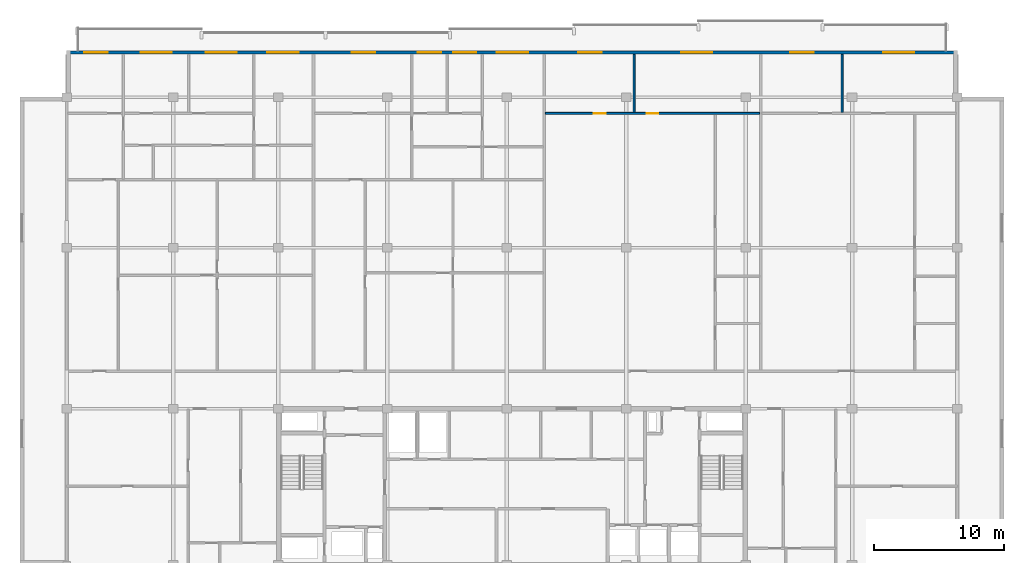
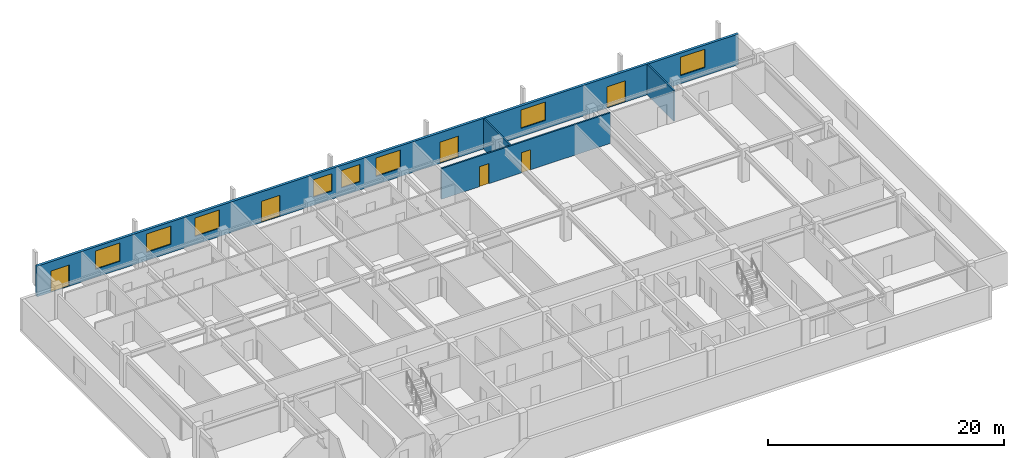
# One storey, part 8 of 11: 8 windows, 6 doors, 4 walls, 14 openings.
"""IFC4 building model written with IfcOpenShell, lengths in metres."""

from ifc_helpers import new_model, si_unit, direction, frame, frame_2d, origin, place, context, subcontext, project, spatial, rectangle, extrude, material, layer, layer_set, type_object, element, fill, save


model = new_model("IFC4")

# Units and contexts
model_context = context("Model", 3, precision=1e-05, world=origin(), true_north=direction((0.0, 1.0)))
body_context = subcontext(model_context, "Body", "Model", "MODEL_VIEW")
ifc_project = project(units=[si_unit("LENGTHUNIT", "METRE"), si_unit("AREAUNIT", "SQUARE_METRE"), si_unit("VOLUMEUNIT", "CUBIC_METRE"), si_unit("PLANEANGLEUNIT", "RADIAN"), si_unit("MASSUNIT", "GRAM", prefix="KILO")], contexts=[model_context])

# Site, building, storey
site_placement = place(None, origin())
site = spatial("IfcSite", under=ifc_project, at=site_placement, CompositionType="ELEMENT")
building_placement = place(site_placement, origin())
building = spatial("IfcBuilding", under=site, at=building_placement, Name="Korimba Cascade Residences", CompositionType="ELEMENT")
storey_placement = place(building_placement, frame((0.0, 0.0, 249.35009765625)))
storey = spatial("IfcBuildingStorey", under=building, at=storey_placement, Name="L72", CompositionType="ELEMENT", Elevation=249.35009765625)

# Wall, openings, doors, windows
ifc_material_1 = material(Name="Precast concrete C40/50", Category="concrete")
ifc_layer_1 = layer(ifc_material_1, 0.25)
ifc_layer_set_1 = layer_set([ifc_layer_1], Name="Precast concrete C40/50")
wall_type_1 = type_object("IfcWallType", Name="EW-LOG-250", PredefinedType="STANDARD", material=ifc_layer_set_1)
wall_1_placement = place(storey_placement, frame((128.39990234375, 94.64990234375, 0.0), z_axis=(0.0, 0.0, 1.0), x_axis=(-1.0, 0.0, 0.0)))
wall_1 = element("IfcWall", 1, at=wall_1_placement, inside=storey, type_object=wall_type_1, Name="L72 T1 Perimeter Stone Wall E06", PredefinedType="STANDARD", context=body_context, shape_type="SweptSolid", body=[
    extrude(rectangle(XDim=68.599853515625, YDim=0.25, at=frame_2d((34.2998046875, 0.0))), origin(), (0.0, 0.0, 1.0), 3.169921875),
])
opening_1_placement = place(wall_1_placement, frame((60.517578125, 0.0, 0.85009765625)))
opening_1 = element("IfcOpeningElement", 2, at=opening_1_placement, cuts=wall_1, Name="Opening W-01", PredefinedType="OPENING", context=body_context, shape_type="SweptSolid", body=[
    extrude(rectangle(XDim=2.39990234375, YDim=1.89990234375, at=frame_2d((1.199951171875, 0.949951171875))), frame((0.0, 0.135009765625, 0.0), z_axis=(0.0, -1.0, 0.0), x_axis=(1.0, 0.0, 0.0)), (0.0, 0.0, 1.0), 0.27001953125),
])
opening_2_placement = place(wall_1_placement, frame((55.492431640625, 0.0, 0.85009765625)))
opening_2 = element("IfcOpeningElement", 3, at=opening_2_placement, cuts=wall_1, Name="Opening W-01", PredefinedType="OPENING", context=body_context, shape_type="SweptSolid", body=[
    extrude(rectangle(XDim=2.39990234375, YDim=1.89990234375, at=frame_2d((1.199951171875, 0.949951171875))), frame((0.0, 0.135009765625, 0.0), z_axis=(0.0, -1.0, 0.0), x_axis=(1.0, 0.0, 0.0)), (0.0, 0.0, 1.0), 0.27001953125),
])
opening_3_placement = place(wall_1_placement, frame((65.455078125, 0.0, 0.0)))
opening_3 = element("IfcOpeningElement", 4, at=opening_3_placement, cuts=wall_1, Name="Opening D-LG1", PredefinedType="OPENING", context=body_context, shape_type="SweptSolid", body=[
    extrude(rectangle(XDim=1.800048828125, YDim=2.199951171875, at=frame_2d((0.89990234375, 1.10009765625))), frame((0.0, 0.135009765625, 0.0), z_axis=(0.0, -1.0, 0.0), x_axis=(1.0, 0.0, 0.0)), (0.0, 0.0, 1.0), 0.27001953125),
])
opening_4_placement = place(wall_1_placement, frame((50.74560546875, 0.0, 0.85009765625)))
opening_4 = element("IfcOpeningElement", 5, at=opening_4_placement, cuts=wall_1, Name="Opening W-01", PredefinedType="OPENING", context=body_context, shape_type="SweptSolid", body=[
    extrude(rectangle(XDim=2.39990234375, YDim=1.89990234375, at=frame_2d((1.199951171875, 0.949951171875))), frame((0.0, 0.135009765625, 0.0), z_axis=(0.0, -1.0, 0.0), x_axis=(1.0, 0.0, 0.0)), (0.0, 0.0, 1.0), 0.27001953125),
])
opening_5_placement = place(wall_1_placement, frame((39.760009765625, 0.0, 0.85009765625)))
opening_5 = element("IfcOpeningElement", 6, at=opening_5_placement, cuts=wall_1, Name="Opening W-02", PredefinedType="OPENING", context=body_context, shape_type="SweptSolid", body=[
    extrude(rectangle(XDim=1.800048828125, YDim=1.800048828125, at=frame_2d((0.89990234375, 0.89990234375))), frame((0.0, 0.135009765625, 0.0), z_axis=(0.0, -1.0, 0.0), x_axis=(1.0, 0.0, 0.0)), (0.0, 0.0, 1.0), 0.27001953125),
])
opening_6_placement = place(wall_1_placement, frame((37.0400390625, 0.0, 0.85009765625)))
opening_6 = element("IfcOpeningElement", 7, at=opening_6_placement, cuts=wall_1, Name="Opening W-02", PredefinedType="OPENING", context=body_context, shape_type="SweptSolid", body=[
    extrude(rectangle(XDim=1.800048828125, YDim=1.800048828125, at=frame_2d((0.89990234375, 0.89990234375))), frame((0.0, 0.135009765625, 0.0), z_axis=(0.0, -1.0, 0.0), x_axis=(1.0, 0.0, 0.0)), (0.0, 0.0, 1.0), 0.27001953125),
])
opening_7_placement = place(wall_1_placement, frame((44.845458984375, 0.0, 0.0)))
opening_7 = element("IfcOpeningElement", 8, at=opening_7_placement, cuts=wall_1, Name="Opening D-LG1", PredefinedType="OPENING", context=body_context, shape_type="SweptSolid", body=[
    extrude(rectangle(XDim=1.800048828125, YDim=2.199951171875, at=frame_2d((0.89990234375, 1.10009765625))), frame((0.0, 0.135009765625, 0.0), z_axis=(0.0, -1.0, 0.0), x_axis=(1.0, 0.0, 0.0)), (0.0, 0.0, 1.0), 0.27001953125),
])
opening_8_placement = place(wall_1_placement, frame((33.0556640625, 0.0, 0.85009765625)))
opening_8 = element("IfcOpeningElement", 9, at=opening_8_placement, cuts=wall_1, Name="Opening W-01", PredefinedType="OPENING", context=body_context, shape_type="SweptSolid", body=[
    extrude(rectangle(XDim=2.39990234375, YDim=1.89990234375, at=frame_2d((1.199951171875, 0.949951171875))), frame((0.0, 0.135009765625, 0.0), z_axis=(0.0, -1.0, 0.0), x_axis=(1.0, 0.0, 0.0)), (0.0, 0.0, 1.0), 0.27001953125),
])
opening_9_placement = place(wall_1_placement, frame((27.393798828125, 0.0, 0.0)))
opening_9 = element("IfcOpeningElement", 10, at=opening_9_placement, cuts=wall_1, Name="Opening D-LG1", PredefinedType="OPENING", context=body_context, shape_type="SweptSolid", body=[
    extrude(rectangle(XDim=1.800048828125, YDim=2.199951171875, at=frame_2d((0.89990234375, 1.10009765625))), frame((0.0, 0.135009765625, 0.0), z_axis=(0.0, -1.0, 0.0), x_axis=(1.0, 0.0, 0.0)), (0.0, 0.0, 1.0), 0.27001953125),
])
opening_10_placement = place(wall_1_placement, frame((18.878662109375, 0.0, 0.85009765625)))
opening_10 = element("IfcOpeningElement", 11, at=opening_10_placement, cuts=wall_1, Name="Opening W-01", PredefinedType="OPENING", context=body_context, shape_type="SweptSolid", body=[
    extrude(rectangle(XDim=2.39990234375, YDim=1.89990234375, at=frame_2d((1.199951171875, 0.949951171875))), frame((0.0, 0.135009765625, 0.0), z_axis=(0.0, -1.0, 0.0), x_axis=(1.0, 0.0, 0.0)), (0.0, 0.0, 1.0), 0.27001953125),
])
opening_11_placement = place(wall_1_placement, frame((11.048095703125, 0.0, 0.0)))
opening_11 = element("IfcOpeningElement", 12, at=opening_11_placement, cuts=wall_1, Name="Opening D-LG1", PredefinedType="OPENING", context=body_context, shape_type="SweptSolid", body=[
    extrude(rectangle(XDim=1.800048828125, YDim=2.199951171875, at=frame_2d((0.89990234375, 1.10009765625))), frame((0.0, 0.135009765625, 0.0), z_axis=(0.0, -1.0, 0.0), x_axis=(1.0, 0.0, 0.0)), (0.0, 0.0, 1.0), 0.27001953125),
])
opening_12_placement = place(wall_1_placement, frame((3.297607421875, 0.0, 0.85009765625)))
opening_12 = element("IfcOpeningElement", 13, at=opening_12_placement, cuts=wall_1, Name="Opening W-01", PredefinedType="OPENING", context=body_context, shape_type="SweptSolid", body=[
    extrude(rectangle(XDim=2.39990234375, YDim=1.89990234375, at=frame_2d((1.199951171875, 0.949951171875))), frame((0.0, 0.135009765625, 0.0), z_axis=(0.0, -1.0, 0.0), x_axis=(1.0, 0.0, 0.0)), (0.0, 0.0, 1.0), 0.27001953125),
])
ifc_material_2 = material(Name="Glazed Aluminium Loggia Sliding Door", Category="aluminium")
door_type_1 = type_object("IfcDoorType", Name="DR-EXT-LOG", OperationType="NOTDEFINED", PredefinedType="DOOR", material=ifc_material_2)
door_1_placement = place(opening_3_placement, origin())
door_1 = element("IfcDoor", 14, at=door_1_placement, inside=storey, type_object=door_type_1, Name="L72 T1 Loggia Sliding Door 5", OperationType="SLIDING_TO_LEFT", OverallHeight=2.199951171875, OverallWidth=1.800048828125, PredefinedType="DOOR", context=body_context, shape_type="SweptSolid", body=[
    extrude(rectangle(XDim=1.800048828125, YDim=2.199951171875, at=frame_2d((0.89990234375, 1.10009765625))), frame((0.0, 0.02490234375, 0.0), z_axis=(0.0, -1.0, 0.0), x_axis=(1.0, 0.0, 0.0)), (0.0, 0.0, 1.0), 0.050048828125),
])
fill(opening_3, door_1)
door_2_placement = place(opening_7_placement, origin())
door_2 = element("IfcDoor", 15, at=door_2_placement, inside=storey, type_object=door_type_1, Name="L72 T1 Loggia Sliding Door 9", OperationType="SLIDING_TO_LEFT", OverallHeight=2.199951171875, OverallWidth=1.800048828125, PredefinedType="DOOR", context=body_context, shape_type="SweptSolid", body=[
    extrude(rectangle(XDim=1.800048828125, YDim=2.199951171875, at=frame_2d((0.89990234375, 1.10009765625))), frame((0.0, 0.02490234375, 0.0), z_axis=(0.0, -1.0, 0.0), x_axis=(1.0, 0.0, 0.0)), (0.0, 0.0, 1.0), 0.050048828125),
])
fill(opening_7, door_2)
door_3_placement = place(opening_9_placement, origin())
door_3 = element("IfcDoor", 16, at=door_3_placement, inside=storey, type_object=door_type_1, Name="L72 T1 Loggia Sliding Door 11", OperationType="SLIDING_TO_LEFT", OverallHeight=2.199951171875, OverallWidth=1.800048828125, PredefinedType="DOOR", context=body_context, shape_type="SweptSolid", body=[
    extrude(rectangle(XDim=1.800048828125, YDim=2.199951171875, at=frame_2d((0.89990234375, 1.10009765625))), frame((0.0, 0.02490234375, 0.0), z_axis=(0.0, -1.0, 0.0), x_axis=(1.0, 0.0, 0.0)), (0.0, 0.0, 1.0), 0.050048828125),
])
fill(opening_9, door_3)
door_4_placement = place(opening_11_placement, origin())
door_4 = element("IfcDoor", 17, at=door_4_placement, inside=storey, type_object=door_type_1, Name="L72 T1 Loggia Sliding Door 13", OperationType="SLIDING_TO_LEFT", OverallHeight=2.199951171875, OverallWidth=1.800048828125, PredefinedType="DOOR", context=body_context, shape_type="SweptSolid", body=[
    extrude(rectangle(XDim=1.800048828125, YDim=2.199951171875, at=frame_2d((0.89990234375, 1.10009765625))), frame((0.0, 0.02490234375, 0.0), z_axis=(0.0, -1.0, 0.0), x_axis=(1.0, 0.0, 0.0)), (0.0, 0.0, 1.0), 0.050048828125),
])
fill(opening_11, door_4)
ifc_material_3 = material(Name="Double-Glazed Aluminium Window", Category="aluminium")
window_type_1 = type_object("IfcWindowType", Name="WIN-BED-1800", PartitioningType="SINGLE_PANEL", PredefinedType="WINDOW", material=ifc_material_3)
window_1_placement = place(opening_5_placement, origin())
window_1 = element("IfcWindow", 18, at=window_1_placement, inside=storey, type_object=window_type_1, Name="L72 T1 North Facade Window 7", OverallHeight=1.800048828125, OverallWidth=1.800048828125, PartitioningType="SINGLE_PANEL", PredefinedType="WINDOW", context=body_context, shape_type="SweptSolid", body=[
    extrude(rectangle(XDim=1.800048828125, YDim=1.800048828125, at=frame_2d((0.89990234375, 0.89990234375))), frame((0.0, 0.030029296875, 0.0), z_axis=(0.0, -1.0, 0.0), x_axis=(1.0, 0.0, 0.0)), (0.0, 0.0, 1.0), 0.06005859375),
])
fill(opening_5, window_1)
window_2_placement = place(opening_6_placement, origin())
window_2 = element("IfcWindow", 19, at=window_2_placement, inside=storey, type_object=window_type_1, Name="L72 T1 North Facade Window 8", OverallHeight=1.800048828125, OverallWidth=1.800048828125, PartitioningType="SINGLE_PANEL", PredefinedType="WINDOW", context=body_context, shape_type="SweptSolid", body=[
    extrude(rectangle(XDim=1.800048828125, YDim=1.800048828125, at=frame_2d((0.89990234375, 0.89990234375))), frame((0.0, 0.030029296875, 0.0), z_axis=(0.0, -1.0, 0.0), x_axis=(1.0, 0.0, 0.0)), (0.0, 0.0, 1.0), 0.06005859375),
])
fill(opening_6, window_2)
window_type_2 = type_object("IfcWindowType", Name="WIN-RES-2400", PartitioningType="DOUBLE_PANEL_VERTICAL", PredefinedType="WINDOW", material=ifc_material_3)
window_3_placement = place(opening_1_placement, origin())
window_3 = element("IfcWindow", 20, at=window_3_placement, inside=storey, type_object=window_type_2, Name="L72 T1 North Facade Window 3", OverallHeight=1.89990234375, OverallWidth=2.39990234375, PartitioningType="DOUBLE_PANEL_VERTICAL", PredefinedType="WINDOW", context=body_context, shape_type="SweptSolid", body=[
    extrude(rectangle(XDim=2.39990234375, YDim=1.89990234375, at=frame_2d((1.199951171875, 0.949951171875))), frame((0.0, 0.030029296875, 0.0), z_axis=(0.0, -1.0, 0.0), x_axis=(1.0, 0.0, 0.0)), (0.0, 0.0, 1.0), 0.06005859375),
])
fill(opening_1, window_3)
window_4_placement = place(opening_2_placement, origin())
window_4 = element("IfcWindow", 21, at=window_4_placement, inside=storey, type_object=window_type_2, Name="L72 T1 North Facade Window 4", OverallHeight=1.89990234375, OverallWidth=2.39990234375, PartitioningType="DOUBLE_PANEL_VERTICAL", PredefinedType="WINDOW", context=body_context, shape_type="SweptSolid", body=[
    extrude(rectangle(XDim=2.39990234375, YDim=1.89990234375, at=frame_2d((1.199951171875, 0.949951171875))), frame((0.0, 0.030029296875, 0.0), z_axis=(0.0, -1.0, 0.0), x_axis=(1.0, 0.0, 0.0)), (0.0, 0.0, 1.0), 0.06005859375),
])
fill(opening_2, window_4)
window_5_placement = place(opening_4_placement, origin())
window_5 = element("IfcWindow", 22, at=window_5_placement, inside=storey, type_object=window_type_2, Name="L72 T1 North Facade Window 6", OverallHeight=1.89990234375, OverallWidth=2.39990234375, PartitioningType="DOUBLE_PANEL_VERTICAL", PredefinedType="WINDOW", context=body_context, shape_type="SweptSolid", body=[
    extrude(rectangle(XDim=2.39990234375, YDim=1.89990234375, at=frame_2d((1.199951171875, 0.949951171875))), frame((0.0, 0.030029296875, 0.0), z_axis=(0.0, -1.0, 0.0), x_axis=(1.0, 0.0, 0.0)), (0.0, 0.0, 1.0), 0.06005859375),
])
fill(opening_4, window_5)
window_6_placement = place(opening_8_placement, origin())
window_6 = element("IfcWindow", 23, at=window_6_placement, inside=storey, type_object=window_type_2, Name="L72 T1 North Facade Window 10", OverallHeight=1.89990234375, OverallWidth=2.39990234375, PartitioningType="DOUBLE_PANEL_VERTICAL", PredefinedType="WINDOW", context=body_context, shape_type="SweptSolid", body=[
    extrude(rectangle(XDim=2.39990234375, YDim=1.89990234375, at=frame_2d((1.199951171875, 0.949951171875))), frame((0.0, 0.030029296875, 0.0), z_axis=(0.0, -1.0, 0.0), x_axis=(1.0, 0.0, 0.0)), (0.0, 0.0, 1.0), 0.06005859375),
])
fill(opening_8, window_6)
window_7_placement = place(opening_10_placement, origin())
window_7 = element("IfcWindow", 24, at=window_7_placement, inside=storey, type_object=window_type_2, Name="L72 T1 North Facade Window 12", OverallHeight=1.89990234375, OverallWidth=2.39990234375, PartitioningType="DOUBLE_PANEL_VERTICAL", PredefinedType="WINDOW", context=body_context, shape_type="SweptSolid", body=[
    extrude(rectangle(XDim=2.39990234375, YDim=1.89990234375, at=frame_2d((1.199951171875, 0.949951171875))), frame((0.0, 0.030029296875, 0.0), z_axis=(0.0, -1.0, 0.0), x_axis=(1.0, 0.0, 0.0)), (0.0, 0.0, 1.0), 0.06005859375),
])
fill(opening_10, window_7)
window_8_placement = place(opening_12_placement, origin())
window_8 = element("IfcWindow", 25, at=window_8_placement, inside=storey, type_object=window_type_2, Name="L72 T1 North Facade Window 14", OverallHeight=1.89990234375, OverallWidth=2.39990234375, PartitioningType="DOUBLE_PANEL_VERTICAL", PredefinedType="WINDOW", context=body_context, shape_type="SweptSolid", body=[
    extrude(rectangle(XDim=2.39990234375, YDim=1.89990234375, at=frame_2d((1.199951171875, 0.949951171875))), frame((0.0, 0.030029296875, 0.0), z_axis=(0.0, -1.0, 0.0), x_axis=(1.0, 0.0, 0.0)), (0.0, 0.0, 1.0), 0.06005859375),
])
fill(opening_12, window_8)

# Wall
ifc_material_4 = material(Name="Insulated Acoustic Stud Partition", Category="gypsum")
ifc_layer_2 = layer(ifc_material_4, 0.14990234375)
ifc_layer_set_2 = layer_set([ifc_layer_2], Name="Insulated Acoustic Stud Partition")
wall_type_2 = type_object("IfcWallType", Name="WAL-PART-150", PredefinedType="PARTITIONING", material=ifc_layer_set_2)
wall_2_placement = place(storey_placement, frame((103.50390625, 90.030029296875, 0.0), z_axis=(0.0, 0.0, 1.0), x_axis=(0.0, 1.0, 0.0)))
element("IfcWall", 26, at=wall_2_placement, inside=storey, type_object=wall_type_2, Name="L72 Partition Wall WAL-L72-T1-U03-OUTV", PredefinedType="PARTITIONING", context=body_context, shape_type="SweptSolid", body=[
    extrude(rectangle(XDim=4.469970703125, YDim=0.14990234375, at=frame_2d((2.23486328125, 0.0))), origin(), (0.0, 0.0, 1.0), 3.169921875),
])

# Wall, openings, doors
wall_3_placement = place(storey_placement, frame((96.668701171875, 89.949951171875, 0.0), z_axis=(0.0, 0.0, 1.0), x_axis=(1.0, 0.0, 0.0)))
wall_3 = element("IfcWall", 27, at=wall_3_placement, inside=storey, type_object=wall_type_2, Name="L72 Partition Wall WAL-L72-T1-U03-HZ", PredefinedType="PARTITIONING", context=body_context, shape_type="SweptSolid", body=[
    extrude(rectangle(XDim=16.510498046875, YDim=0.14990234375, at=frame_2d((8.25537109375, 0.0))), origin(), (0.0, 0.0, 1.0), 3.169921875),
])
opening_13_placement = place(wall_3_placement, frame((3.7158203125, 0.0, 0.0)))
opening_13 = element("IfcOpeningElement", 28, at=opening_13_placement, cuts=wall_3, Name="Opening D-ST1", PredefinedType="OPENING", context=body_context, shape_type="SweptSolid", body=[
    extrude(rectangle(XDim=0.919921875, YDim=2.080078125, at=frame_2d((0.4599609375, 1.0400390625))), frame((0.0, 0.0849609375, 0.0), z_axis=(0.0, -1.0, 0.0), x_axis=(1.0, 0.0, 0.0)), (0.0, 0.0, 1.0), 0.169921875),
])
opening_14_placement = place(wall_3_placement, frame((7.79541015625, 0.0, 0.0)))
opening_14 = element("IfcOpeningElement", 29, at=opening_14_placement, cuts=wall_3, Name="Opening D-ST1", PredefinedType="OPENING", context=body_context, shape_type="SweptSolid", body=[
    extrude(rectangle(XDim=0.919921875, YDim=2.080078125, at=frame_2d((0.4599609375, 1.0400390625))), frame((0.0, 0.0849609375, 0.0), z_axis=(0.0, -1.0, 0.0), x_axis=(1.0, 0.0, 0.0)), (0.0, 0.0, 1.0), 0.169921875),
])
ifc_material_5 = material(Name="Fire-Rated Core Store Door", Category="wood")
door_type_2 = type_object("IfcDoorType", Name="DR-FD60-920", OperationType="NOTDEFINED", PredefinedType="DOOR", material=ifc_material_5)
door_5_placement = place(opening_13_placement, origin())
door_5 = element("IfcDoor", 30, at=door_5_placement, inside=storey, type_object=door_type_2, Name="L72-T1-U03 Sky Lobby Concierge Door", OperationType="SINGLE_SWING_LEFT", OverallHeight=2.080078125, OverallWidth=0.919921875, PredefinedType="DOOR", context=body_context, shape_type="SweptSolid", body=[
    extrude(rectangle(XDim=0.919921875, YDim=2.080078125, at=frame_2d((0.4599609375, 1.0400390625))), frame((0.0, 0.02490234375, 0.0), z_axis=(0.0, -1.0, 0.0), x_axis=(1.0, 0.0, 0.0)), (0.0, 0.0, 1.0), 0.050048828125),
])
fill(opening_13, door_5)
door_6_placement = place(opening_14_placement, origin())
door_6 = element("IfcDoor", 31, at=door_6_placement, inside=storey, type_object=door_type_2, Name="L72-T1-U03 Horizon Observation Atrium Door", OperationType="SINGLE_SWING_RIGHT", OverallHeight=2.080078125, OverallWidth=0.919921875, PredefinedType="DOOR", context=body_context, shape_type="SweptSolid", body=[
    extrude(rectangle(XDim=0.919921875, YDim=2.080078125, at=frame_2d((0.4599609375, 1.0400390625))), frame((0.0, 0.02490234375, 0.0), z_axis=(0.0, -1.0, 0.0), x_axis=(1.0, 0.0, 0.0)), (0.0, 0.0, 1.0), 0.050048828125),
])
fill(opening_14, door_6)

# Wall
wall_4_placement = place(storey_placement, frame((119.5244140625, 90.030029296875, 0.0), z_axis=(0.0, 0.0, 1.0), x_axis=(0.0, 1.0, 0.0)))
element("IfcWall", 32, at=wall_4_placement, inside=storey, type_object=wall_type_2, Name="L72 Partition Wall WAL-L72-T1-U04-OUTV", PredefinedType="PARTITIONING", context=body_context, shape_type="SweptSolid", body=[
    extrude(rectangle(XDim=4.469970703125, YDim=0.14990234375, at=frame_2d((2.23486328125, 0.0))), origin(), (0.0, 0.0, 1.0), 3.169921875),
])

save(model, "model.ifc")
